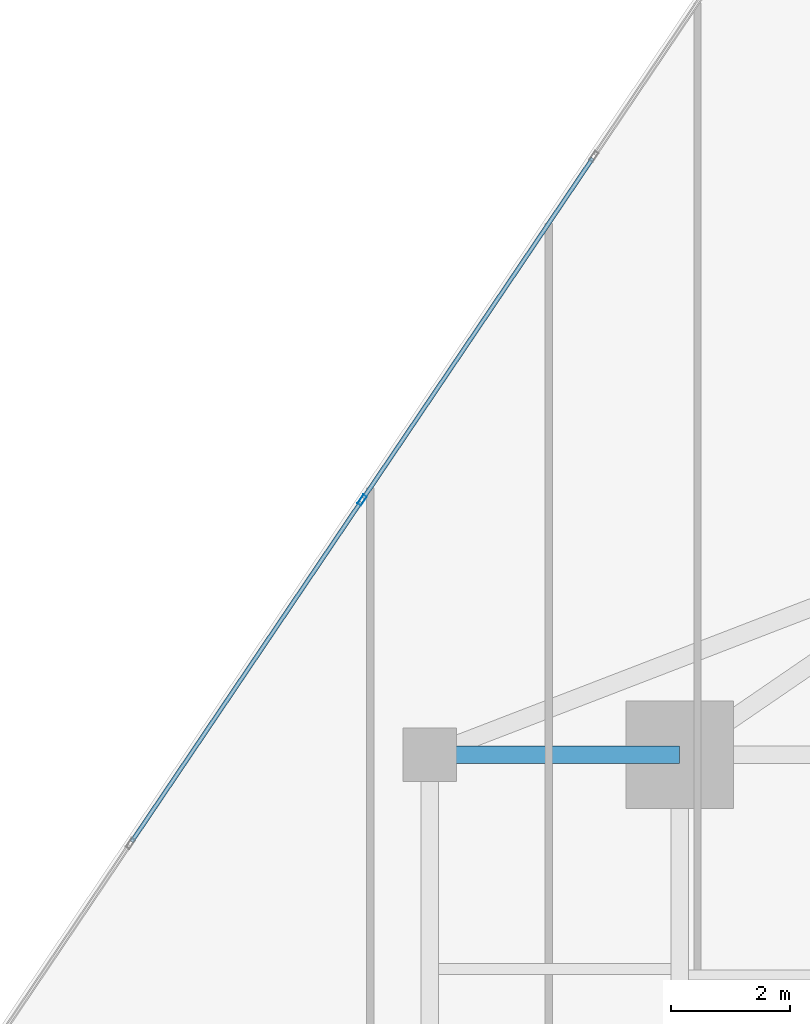
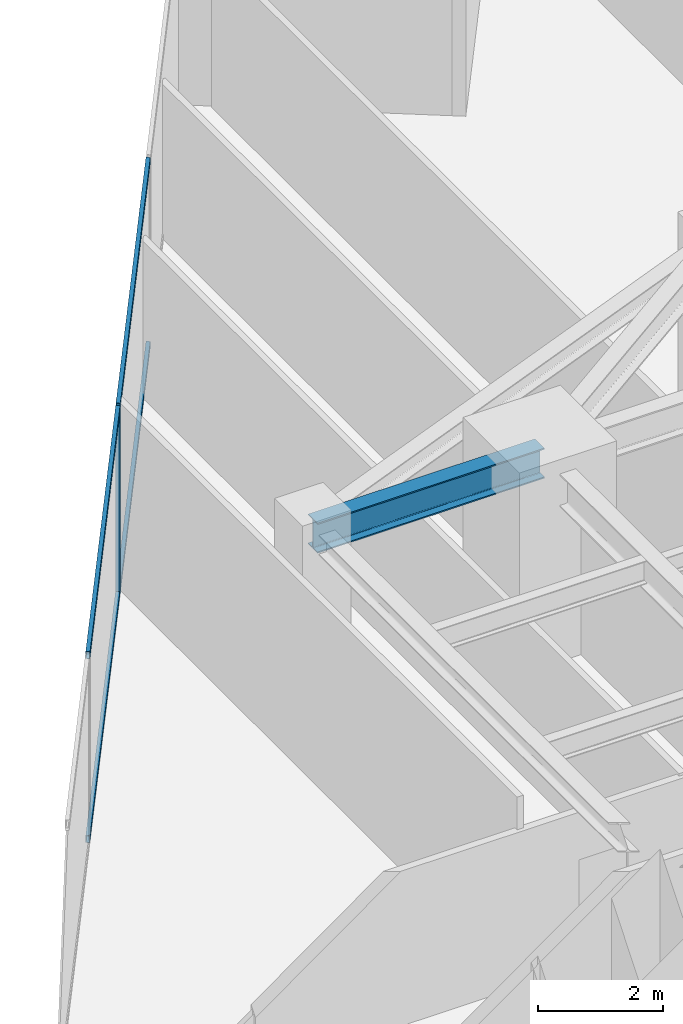
# One storey, part 14 of 27: 5 members, 1 beam, 1 element without a shape of its own.
"""IFC4 building model written with IfcOpenShell, lengths in metres."""

from ifc_helpers import new_model, si_unit, direction, frame, origin, origin_2d, place, context, subcontext, project, spatial, hollow_rectangle, i_section, extrude, source, transform, mapped, material, material_profile, profile_set, type_object, type_shapes, element, aggregate, save


model = new_model("IFC4")

# Units and contexts
model_context = context("Model", 3, precision=1e-05, world=origin(), true_north=direction((0.0, 1.0)))
body_context = subcontext(model_context, "Body", "Model", "MODEL_VIEW")
ifc_project = project(units=[si_unit("LENGTHUNIT", "METRE"), si_unit("AREAUNIT", "SQUARE_METRE"), si_unit("VOLUMEUNIT", "CUBIC_METRE"), si_unit("PLANEANGLEUNIT", "RADIAN"), si_unit("MASSUNIT", "GRAM", prefix="KILO")], contexts=[model_context])

# Site, building, storey
site_placement = place(None, origin())
site = spatial("IfcSite", under=ifc_project, at=site_placement, CompositionType="ELEMENT")
building_placement = place(site_placement, origin())
building = spatial("IfcBuilding", under=site, at=building_placement, Name="Krantzveldt Concourse Tower", CompositionType="ELEMENT")
storey_placement = place(building_placement, frame((0.0, 0.0, 185.699951171875)))
storey = spatial("IfcBuildingStorey", under=building, at=storey_placement, Name="L45", CompositionType="ELEMENT", Elevation=185.699951171875)

# Beam
ifc_material_1 = material(Name="Steel S355JR", Category="steel")
ifc_material_profile_1 = material_profile(ifc_material_1, i_section(OverallWidth=0.300048828125, OverallDepth=0.590087890625, WebThickness=0.012939453125, FlangeThickness=0.02490234375, FilletRadius=0.027099609375, at=origin_2d()), Name="Steel S355JR", Category="steel")
ifc_profile_set_1 = profile_set([ifc_material_profile_1], Name="Steel S355JR - HEA 600")
beam_type = type_object("IfcBeamType", Name="BM-B-HEA600", PredefinedType="BEAM", material=ifc_profile_set_1)
shared_shape_1 = source(origin(), body_context, "Body", "SweptSolid", [
    extrude(i_section(OverallWidth=0.300048828125, OverallDepth=0.590087890625, WebThickness=0.012939453125, FlangeThickness=0.02490234375, FilletRadius=0.027099609375, at=origin_2d()), origin(), (0.0, 0.0, 1.0), 4.199951171875),
])
type_shapes(beam_type, [shared_shape_1])
beam_placement = place(storey_placement, frame((21.0, 37.5, 3.375), z_axis=(1.0, 0.0, 0.0), x_axis=(0.0, 1.0, 0.0)))
element("IfcBeam", 1, at=beam_placement, inside=storey, type_object=beam_type, Name="L45 Tower Girder BR-RL3", PredefinedType="BEAM", context=body_context, shape_type="MappedRepresentation", body=[
    mapped(shared_shape_1, transform((0.0, 0.0, 0.0), x_axis=(1.0, 0.0, 0.0), y_axis=(0.0, 1.0, 0.0), z_axis=(0.0, 0.0, 1.0), scale=1.0)),
])

# Curtain wall, members
ifc_material_2 = material(Name="Anodised aluminium 6063-T6", Category="aluminium")
curtain_wall_type = type_object("IfcCurtainWallType", Name="CW3", PredefinedType="USERDEFINED", material=ifc_material_2)
curtain_wall_placement = place(storey_placement, origin())
curtain_wall = element("IfcCurtainWall", 2, at=curtain_wall_placement, inside=storey, type_object=curtain_wall_type, Name="CW-L45-F01", ObjectType="UNITISED CURTAIN WALL", PredefinedType="USERDEFINED")
ifc_material_profile_2 = material_profile(ifc_material_2, hollow_rectangle(XDim=0.070068359375, YDim=0.179931640625, WallThickness=0.0048828125, at=origin_2d()), Name="Anodised aluminium 6063-T6", Category="aluminium")
ifc_profile_set_2 = profile_set([ifc_material_profile_2], Name="Anodised aluminium 6063-T6 - ALU-MULL 180x70x5")
member_type_1 = type_object("IfcMemberType", Name="CW-MUL-180", PredefinedType="MULLION", material=ifc_profile_set_2)
shared_shape_2 = source(origin(), body_context, "Body", "SweptSolid", [
    extrude(hollow_rectangle(XDim=0.070068359375, YDim=0.179931640625, WallThickness=0.0048828125, at=origin_2d()), origin(), (0.0, 0.0, 1.0), 3.670166015625),
])
type_shapes(member_type_1, [shared_shape_2])
member_1_placement = place(storey_placement, frame((19.86474609375, 41.781005859375, 0.0), z_axis=(0.0, 0.0, 1.0), x_axis=(0.829037635301, -0.559192810447, 0.0)))
member_1 = element("IfcMember", 3, at=member_1_placement, type_object=member_type_1, Name="CW-Z34 mullion 3", PredefinedType="MULLION", context=body_context, shape_type="MappedRepresentation", body=[
    mapped(shared_shape_2, transform((0.0, 0.0, 0.0), x_axis=(1.0, 0.0, 0.0), y_axis=(0.0, 1.0, 0.0), z_axis=(0.0, 0.0, 1.0), scale=1.0)),
])
ifc_material_profile_3 = material_profile(ifc_material_2, hollow_rectangle(XDim=0.070068359375, YDim=0.139892578125, WallThickness=0.0048828125, at=origin_2d()), Name="Anodised aluminium 6063-T6", Category="aluminium")
ifc_profile_set_3 = profile_set([ifc_material_profile_3], Name="Anodised aluminium 6063-T6 - ALU-TRAN 140x70x5")
member_type_2 = type_object("IfcMemberType", Name="CW-TRN-150", PredefinedType="USERDEFINED", material=ifc_profile_set_3)
shared_shape_3 = source(origin(), body_context, "Body", "SweptSolid", [
    extrude(hollow_rectangle(XDim=0.070068359375, YDim=0.139892578125, WallThickness=0.0048828125, at=origin_2d()), origin(), (0.0, 0.0, 1.0), 6.89013671875),
])
member_2_placement = place(storey_placement, frame((23.737060546875, 47.522216796875, 0.03515625), z_axis=(-0.559181316648, -0.829045387848, 0.0), x_axis=(0.829045387848, -0.559181316648, 0.0)))
member_2 = element("IfcMember", 4, at=member_2_placement, type_object=member_type_2, Name="CW-Z34 transom 2.1", ObjectType="TRANSOM", PredefinedType="USERDEFINED", context=body_context, shape_type="MappedRepresentation", body=[
    mapped(shared_shape_3, transform((0.0, 0.0, 0.0), x_axis=(1.0, 0.0, 0.0), y_axis=(0.0, 1.0, 0.0), z_axis=(0.0, 0.0, 1.0), scale=1.0)),
])
member_3_placement = place(storey_placement, frame((23.737060546875, 47.522216796875, 3.635009765625), z_axis=(-0.559181316648, -0.829045387848, 0.0), x_axis=(0.829045387848, -0.559181316648, 0.0)))
member_3 = element("IfcMember", 5, at=member_3_placement, type_object=member_type_2, Name="CW-Z34 transom 2.2", ObjectType="TRANSOM", PredefinedType="USERDEFINED", context=body_context, shape_type="MappedRepresentation", body=[
    mapped(shared_shape_3, transform((0.0, 0.0, 0.0), x_axis=(1.0, 0.0, 0.0), y_axis=(0.0, 1.0, 0.0), z_axis=(0.0, 0.0, 1.0), scale=1.0)),
])
shared_shape_4 = source(origin(), body_context, "Body", "SweptSolid", [
    extrude(hollow_rectangle(XDim=0.070068359375, YDim=0.139892578125, WallThickness=0.0048828125, at=origin_2d()), origin(), (0.0, 0.0, 1.0), 6.889892578125),
])
type_shapes(member_type_2, [shared_shape_3, shared_shape_4])
member_4_placement = place(storey_placement, frame((19.84521484375, 41.751953125, 0.03515625), z_axis=(-0.559222097264, -0.829017880345, 0.0), x_axis=(0.829017880345, -0.559222097264, 0.0)))
member_4 = element("IfcMember", 6, at=member_4_placement, type_object=member_type_2, Name="CW-Z34 transom 3.1", ObjectType="TRANSOM", PredefinedType="USERDEFINED", context=body_context, shape_type="MappedRepresentation", body=[
    mapped(shared_shape_4, transform((0.0, 0.0, 0.0), x_axis=(1.0, 0.0, 0.0), y_axis=(0.0, 1.0, 0.0), z_axis=(0.0, 0.0, 1.0), scale=1.0)),
])
member_5_placement = place(storey_placement, frame((19.84521484375, 41.751953125, 3.635009765625), z_axis=(-0.559222097264, -0.829017880345, 0.0), x_axis=(0.829017880345, -0.559222097264, 0.0)))
member_5 = element("IfcMember", 7, at=member_5_placement, type_object=member_type_2, Name="CW-Z34 transom 3.2", ObjectType="TRANSOM", PredefinedType="USERDEFINED", context=body_context, shape_type="MappedRepresentation", body=[
    mapped(shared_shape_4, transform((0.0, 0.0, 0.0), x_axis=(1.0, 0.0, 0.0), y_axis=(0.0, 1.0, 0.0), z_axis=(0.0, 0.0, 1.0), scale=1.0)),
])
aggregate(curtain_wall, [member_1, member_2, member_3, member_4, member_5])

save(model, "model.ifc")
